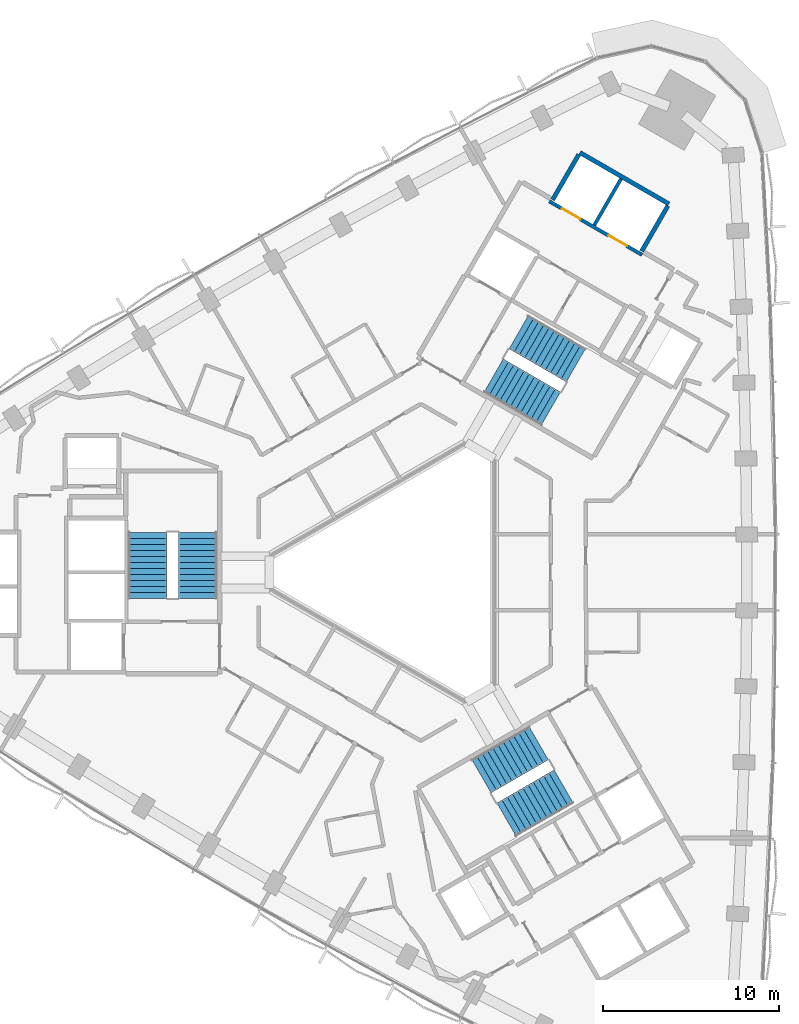
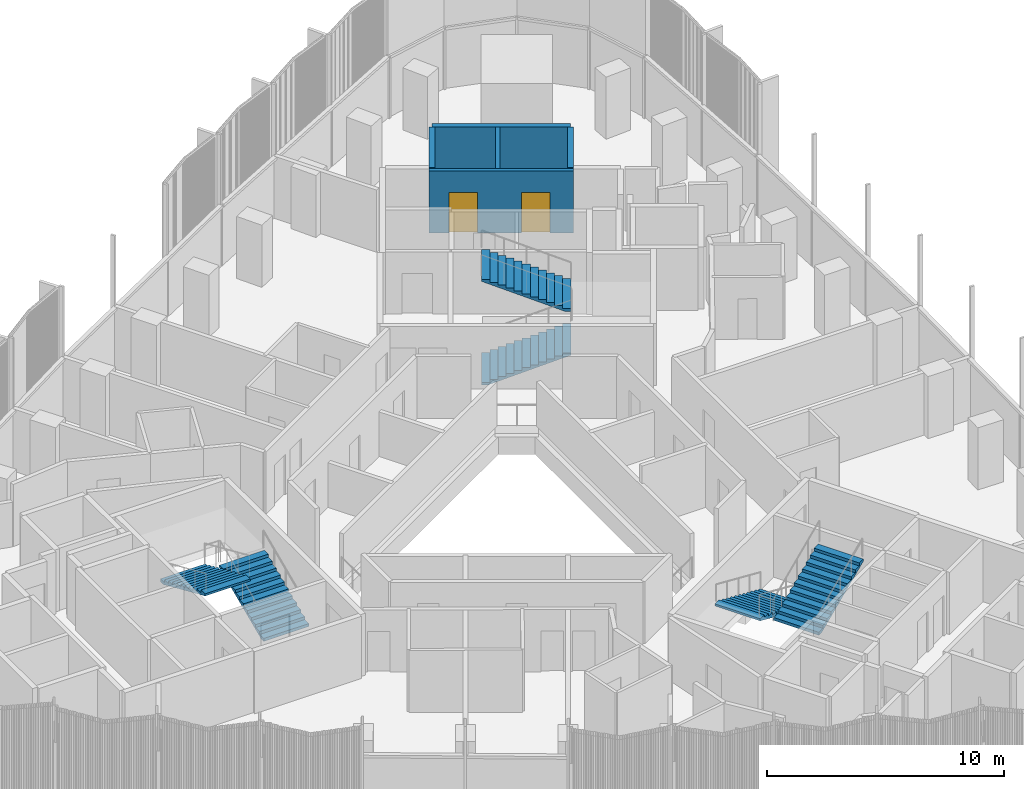
# One storey, part 12 of 15: 6 stair flights, 5 walls, 2 doors, 2 openings, 3 elements without a shape of their own.
"""IFC4 building model written with IfcOpenShell, lengths in metres."""

import ifcopenshell
import ifcopenshell.guid

model = None  # the IFC model being written
_history = None  # IfcOwnerHistory: only IFC2X3 demands one
_inside = {}  # id of a spatial element -> (the spatial element, [elements in it])
_under = {}  # id of a project, library or spatial element -> (it, [spatial elements below it])
_declared = {}  # id of a project -> (the project, [libraries it declares])
_typed = {}  # id of a type object -> (the type object, [elements of that type])
_made_of = {}  # id of a material, layer set ... -> (it, [elements and type objects made of it])


def new_model(schema):
    """Start an empty IFC model of exactly this schema.

    Asked for "IFC4X3", IfcOpenShell would pick the latest addendum, in which some entities
    have other attributes; the version numbers below select the first issue.
    IFC2X3 requires an IfcOwnerHistory on every rooted entity: one is made here for all.
    """
    global model, _history
    if schema == "IFC4X3":
        model = ifcopenshell.file(schema_version=(4, 3, 0, 0))
    else:
        model = ifcopenshell.file(schema=schema)
    _inside.clear()
    _under.clear()
    _declared.clear()
    _typed.clear()
    _made_of.clear()
    _history = None
    if model.schema == "IFC2X3":
        org = make("IfcOrganization", Name="unknown")
        user = make(
            "IfcPersonAndOrganization",
            ThePerson=make("IfcPerson", FamilyName="unknown"),
            TheOrganization=org,
        )
        app = make(
            "IfcApplication",
            ApplicationDeveloper=org,
            Version="unknown",
            ApplicationFullName="unknown",
            ApplicationIdentifier="unknown",
        )
        _history = make(
            "IfcOwnerHistory",
            OwningUser=user,
            OwningApplication=app,
            ChangeAction="ADDED",
            CreationDate=0,
        )
    return model


def make(cls, **values):
    """One entity of the class cls with the attributes given. An attribute that is None is left unset."""
    return model.create_entity(
        cls, **{name: value for name, value in values.items() if value is not None}
    )


def rooted(cls, **values):
    """An entity with a GlobalId (a new one), such as an element, a storey or a relation."""
    return make(cls, GlobalId=ifcopenshell.guid.new(), OwnerHistory=_history, **values)


def si_unit(unit_type, name, prefix=None):
    """IfcSIUnit, for example si_unit("LENGTHUNIT", "METRE", prefix="MILLI")."""
    return make("IfcSIUnit", UnitType=unit_type, Prefix=prefix, Name=name)


def assignment(units):
    """IfcUnitAssignment: the units of a project."""
    return None if units is None else make("IfcUnitAssignment", Units=units)


def point(xyz):
    """IfcCartesianPoint."""
    return None if xyz is None else make("IfcCartesianPoint", Coordinates=xyz)


def direction(xyz):
    """IfcDirection."""
    return None if xyz is None else make("IfcDirection", DirectionRatios=xyz)


def frame(location, z_axis=None, x_axis=None):
    """IfcAxis2Placement3D, a coordinate frame: its origin and axes. An axis left out is left unset."""
    return make(
        "IfcAxis2Placement3D",
        Location=point(location),
        Axis=direction(z_axis),
        RefDirection=direction(x_axis),
    )


def frame_2d(location, x_axis=None):
    """IfcAxis2Placement2D, a coordinate frame in the plane: its origin and x axis."""
    return make(
        "IfcAxis2Placement2D", Location=point(location), RefDirection=direction(x_axis)
    )


def origin():
    """The frame at (0, 0, 0) with its axes left unset."""
    return frame((0.0, 0.0, 0.0))


def place(relative_to, where):
    """IfcLocalPlacement: puts the frame where relative to a parent placement (None: the world)."""
    return make(
        "IfcLocalPlacement", PlacementRelTo=relative_to, RelativePlacement=where
    )


def context(
    kind, dimensions, precision=None, world=None, true_north=None, identifier=None
):
    """IfcGeometricRepresentationContext, for example the 3D "Model" context."""
    return make(
        "IfcGeometricRepresentationContext",
        ContextIdentifier=identifier,
        ContextType=kind,
        CoordinateSpaceDimension=dimensions,
        Precision=precision,
        WorldCoordinateSystem=world,
        TrueNorth=true_north,
    )


def subcontext(parent, identifier, kind, view, scale=None):
    """IfcGeometricRepresentationSubContext, for example "Body" below "Model"."""
    return make(
        "IfcGeometricRepresentationSubContext",
        ContextIdentifier=identifier,
        ContextType=kind,
        ParentContext=parent,
        TargetScale=scale,
        TargetView=view,
    )


def project(units=None, contexts=None):
    """IfcProject with its units and contexts."""
    return rooted(
        "IfcProject",
        Name="project",
        RepresentationContexts=contexts,
        UnitsInContext=assignment(units),
    )


def spatial(cls, under=None, at=None, **own):
    """A site, building, storey or space (cls), placed at a placement, below another one or the project."""
    s = rooted(cls, ObjectPlacement=at, **own)
    if under is not None:
        _under.setdefault(under.id(), (under, []))[1].append(s)
    return s


def polyline(points):
    """IfcPolyline through the points."""
    return make("IfcPolyline", Points=[point(p) for p in points])


def profile(cls, at=None, kind="AREA", **sizes):
    """A parametric profile (cls). Its sizes go by their IFC names, for example OverallWidth=200.0."""
    return make(cls, ProfileType=kind, Position=at, **sizes)


def rectangle(**sizes):
    """IfcRectangleProfileDef."""
    return profile("IfcRectangleProfileDef", **sizes)


def outline(outer, holes=None, kind="AREA"):
    """IfcArbitraryClosedProfileDef: a profile drawn as a closed curve; with holes, ...WithVoids."""
    if holes is None:
        return make("IfcArbitraryClosedProfileDef", ProfileType=kind, OuterCurve=outer)
    return make(
        "IfcArbitraryProfileDefWithVoids",
        ProfileType=kind,
        OuterCurve=outer,
        InnerCurves=holes,
    )


def extrude(swept, where, along, depth):
    """IfcExtrudedAreaSolid: the profile swept, set in the frame where, extruded along a direction by depth."""
    return make(
        "IfcExtrudedAreaSolid",
        SweptArea=swept,
        Position=where,
        ExtrudedDirection=direction(along),
        Depth=depth,
    )


def shape(context_of_items, identifier, shape_type, items):
    """IfcShapeRepresentation: the items that make up one representation, for example the "Body"."""
    return make(
        "IfcShapeRepresentation",
        ContextOfItems=context_of_items,
        RepresentationIdentifier=identifier,
        RepresentationType=shape_type,
        Items=items,
    )


def material(Name=None, Category=None):
    """IfcMaterial."""
    return make("IfcMaterial", Name=Name, Category=Category)


def layer(
    of_material, thickness, ventilated=None, Name=None, Category=None, Priority=None
):
    """IfcMaterialLayer: one layer of a wall or slab, of a material (None: an air gap)."""
    return make(
        "IfcMaterialLayer",
        Material=of_material,
        LayerThickness=thickness,
        IsVentilated=ventilated,
        Name=Name,
        Category=Category,
        Priority=Priority,
    )


def layer_set(layers, Name=None):
    """IfcMaterialLayerSet."""
    return make("IfcMaterialLayerSet", MaterialLayers=layers, LayerSetName=Name)


def made_of(thing, what):
    """Note that an element or type object is made of a material, layer set ...; save() writes the relation."""
    if what is not None:
        _made_of.setdefault(what.id(), (what, []))[1].append(thing)
    return thing


def type_object(cls, material=None, **own):
    """A type object (cls), such as IfcWallType, which elements share."""
    return made_of(rooted(cls, **own), material)


def element(
    cls,
    number,
    at=None,
    inside=None,
    cuts=None,
    type_object=None,
    material=None,
    context=None,
    identifier="Body",
    shape_type=None,
    held_by="IfcProductDefinitionShape",
    body=None,
    shapes=None,
    **own,
):
    """One element of the class cls, such as IfcWall. Its Tag is "e" and its number.

    at: its placement. inside: the storey or other place that contains it. cuts: it is an
    opening in that element (IfcRelVoidsElement). A single representation is given by context,
    identifier, shape_type and body (its items); several are given by shapes. held_by: the class
    of the entity that holds the representations. save() writes the other relations.
    """
    e = rooted(cls, Tag="e%d" % number, ObjectPlacement=at, **own)
    if body is not None:
        shapes = [shape(context, identifier, shape_type, body)]
    if shapes is not None:
        e.Representation = make(held_by, Representations=shapes)
    if inside is not None:
        _inside.setdefault(inside.id(), (inside, []))[1].append(e)
    if cuts is not None:
        rooted(
            "IfcRelVoidsElement", RelatingBuildingElement=cuts, RelatedOpeningElement=e
        )
    if type_object is not None:
        _typed.setdefault(type_object.id(), (type_object, []))[1].append(e)
    return made_of(e, material)


def fill(opening, filler):
    """IfcRelFillsElement: the door or window that sits in an opening."""
    return rooted(
        "IfcRelFillsElement",
        RelatingOpeningElement=opening,
        RelatedBuildingElement=filler,
    )


def aggregate(whole, parts):
    """IfcRelAggregates: a whole, such as a stair, and the parts it consists of."""
    return rooted("IfcRelAggregates", RelatingObject=whole, RelatedObjects=parts)


def save(model, path):
    """Write the relations noted so far, then the file.

    IfcRelAggregates (storeys below a building ...), IfcRelContainedInSpatialStructure (elements
    in a storey), IfcRelDefinesByType, IfcRelAssociatesMaterial and IfcRelDeclares: one each for
    every whole, place, type object, material and project.
    """
    for whole, parts in _under.values():
        aggregate(whole, parts)
    for where, things in _inside.values():
        rooted(
            "IfcRelContainedInSpatialStructure",
            RelatedElements=things,
            RelatingStructure=where,
        )
    for kind, things in _typed.values():
        rooted("IfcRelDefinesByType", RelatedObjects=things, RelatingType=kind)
    for what, things in _made_of.values():
        rooted("IfcRelAssociatesMaterial", RelatedObjects=things, RelatingMaterial=what)
    for by, libraries in _declared.values():
        rooted("IfcRelDeclares", RelatingContext=by, RelatedDefinitions=libraries)
    model.write(path)


model = new_model("IFC4")

# Units and contexts
model_context = context("Model", 3, precision=1e-05, world=origin(), true_north=direction((0.0, 1.0)))
body_context = subcontext(model_context, "Body", "Model", "MODEL_VIEW")
ifc_project = project(units=[si_unit("LENGTHUNIT", "METRE"), si_unit("AREAUNIT", "SQUARE_METRE"), si_unit("VOLUMEUNIT", "CUBIC_METRE"), si_unit("PLANEANGLEUNIT", "RADIAN"), si_unit("MASSUNIT", "GRAM", prefix="KILO")], contexts=[model_context])

# Site, building, storey
site_placement = place(None, origin())
site = spatial("IfcSite", under=ifc_project, at=site_placement, CompositionType="ELEMENT")
building_placement = place(site_placement, origin())
building = spatial("IfcBuilding", under=site, at=building_placement, Name="Tamra Quay Hotel Tower", CompositionType="ELEMENT")
storey_placement = place(building_placement, frame((0.0, 0.0, 157.60009765625)))
storey = spatial("IfcBuildingStorey", under=building, at=storey_placement, Name="L39", CompositionType="ELEMENT", Elevation=157.60009765625)

# Wall, openings, doors
ifc_material_1 = material(Name="Concrete M70", Category="concrete")
ifc_layer_1 = layer(ifc_material_1, 0.199951171875)
ifc_layer_set_1 = layer_set([ifc_layer_1], Name="Concrete M70 core wall 200")
wall_type_1 = type_object("IfcWallType", Name="Concrete M70 core wall 200", PredefinedType="SHEAR", material=ifc_layer_set_1)
wall_1_placement = place(storey_placement, frame((13.209716796875, 18.07958984375, 0.0), z_axis=(0.0, 0.0, 1.0), x_axis=(-0.866030299012, 0.499991521122, 0.0)))
wall_1 = element("IfcWall", 1, at=wall_1_placement, inside=storey, type_object=wall_type_1, Name="CW2", PredefinedType="SHEAR", context=body_context, shape_type="SweptSolid", body=[
    extrude(rectangle(XDim=6.10009765625, YDim=0.199951171875, at=frame_2d((3.050048828125, 0.0))), origin(), (0.0, 0.0, 1.0), 3.199951171875),
])
opening_1_placement = place(wall_1_placement, frame((1.0, 0.0, 0.0)))
opening_1 = element("IfcOpeningElement", 2, at=opening_1_placement, cuts=wall_1, Name="Opening LD", PredefinedType="OPENING", context=body_context, shape_type="SweptSolid", body=[
    extrude(rectangle(XDim=1.199951171875, YDim=2.10009765625, at=frame_2d((0.60009765625, 1.050048828125))), frame((0.0, 0.10986328125, 0.0), z_axis=(0.0, -1.0, 0.0), x_axis=(1.0, 0.0, 0.0)), (0.0, 0.0, 1.0), 0.219970703125),
])
opening_2_placement = place(wall_1_placement, frame((4.05029296875, 0.0, 0.0)))
opening_2 = element("IfcOpeningElement", 3, at=opening_2_placement, cuts=wall_1, Name="Opening LD", PredefinedType="OPENING", context=body_context, shape_type="SweptSolid", body=[
    extrude(rectangle(XDim=1.199951171875, YDim=2.10009765625, at=frame_2d((0.60009765625, 1.050048828125))), frame((0.0, 0.10986328125, 0.0), z_axis=(0.0, -1.0, 0.0), x_axis=(1.0, 0.0, 0.0)), (0.0, 0.0, 1.0), 0.219970703125),
])
ifc_material_2 = material(Name="Landing door LD 1200 double door sliding")
door_type = type_object("IfcDoorType", Name="Landing door LD 1200 double door sliding", OperationType="DOUBLE_DOOR_SLIDING", PredefinedType="DOOR", material=ifc_material_2)
door_1_placement = place(opening_1_placement, origin())
door_1 = element("IfcDoor", 4, at=door_1_placement, inside=storey, type_object=door_type, Name="LD", OperationType="DOUBLE_DOOR_SLIDING", OverallHeight=2.10009765625, OverallWidth=1.199951171875, PredefinedType="DOOR", context=body_context, shape_type="SweptSolid", body=[
    extrude(rectangle(XDim=1.199951171875, YDim=2.10009765625, at=frame_2d((0.60009765625, 1.050048828125))), frame((0.0, 0.02490234375, 0.0), z_axis=(0.0, -1.0, 0.0), x_axis=(1.0, 0.0, 0.0)), (0.0, 0.0, 1.0), 0.050048828125),
])
fill(opening_1, door_1)
door_2_placement = place(opening_2_placement, origin())
door_2 = element("IfcDoor", 5, at=door_2_placement, inside=storey, type_object=door_type, Name="LD", OperationType="DOUBLE_DOOR_SLIDING", OverallHeight=2.10009765625, OverallWidth=1.199951171875, PredefinedType="DOOR", context=body_context, shape_type="SweptSolid", body=[
    extrude(rectangle(XDim=1.199951171875, YDim=2.10009765625, at=frame_2d((0.60009765625, 1.050048828125))), frame((0.0, 0.02490234375, 0.0), z_axis=(0.0, -1.0, 0.0), x_axis=(1.0, 0.0, 0.0)), (0.0, 0.0, 1.0), 0.050048828125),
])
fill(opening_2, door_2)

# Walls
wall_2_placement = place(storey_placement, frame((10.48876953125, 19.76708984375, 0.0), z_axis=(0.0, 0.0, 1.0), x_axis=(0.499946628782, 0.866056215479, 0.0)))
element("IfcWall", 6, at=wall_2_placement, inside=storey, type_object=wall_type_1, Name="CW2", PredefinedType="SHEAR", context=body_context, shape_type="SweptSolid", body=[
    extrude(rectangle(XDim=3.048095703125, YDim=0.199951171875, at=frame_2d((1.52392578125, 0.0))), origin(), (0.0, 0.0, 1.0), 3.199951171875),
])
ifc_layer_2 = layer(ifc_material_1, 0.25)
ifc_layer_set_2 = layer_set([ifc_layer_2], Name="Concrete M70 core wall 250")
wall_type_2 = type_object("IfcWallType", Name="Concrete M70 core wall 250", PredefinedType="SHEAR", material=ifc_layer_set_2)
wall_3_placement = place(storey_placement, frame((9.672607421875, 23.9033203125, 0.0), z_axis=(0.0, 0.0, 1.0), x_axis=(0.86603616409, -0.499981362141, 0.0)))
element("IfcWall", 7, at=wall_3_placement, inside=storey, type_object=wall_type_2, Name="CW1", PredefinedType="SHEAR", context=body_context, shape_type="SweptSolid", body=[
    extrude(rectangle(XDim=5.849853515625, YDim=0.25, at=frame_2d((2.9248046875, 0.0))), origin(), (0.0, 0.0, 1.0), 3.199951171875),
])
for number, where, z_axis, x_axis, name in (
    (8, (8.12255859375, 21.21875, 0.0), (0.0, 0.0, 1.0), (0.499987686533, 0.866032512851, 0.0), "CW1"),
    (9, (14.67626953125, 20.869873046875, 0.0), (0.0, 0.0, 1.0), (-0.499987686533, -0.866032512851, 0.0), "CW1"),
):
    element("IfcWall", number, at=place(storey_placement, frame(where, z_axis=z_axis, x_axis=x_axis)), inside=storey, type_object=wall_type_2, Name=name, PredefinedType="SHEAR", context=body_context, shape_type="SweptSolid", body=[
        extrude(rectangle(XDim=2.974609375, YDim=0.25, at=frame_2d((1.4873046875, 0.0))), origin(), (0.0, 0.0, 1.0), 3.199951171875),
    ])

# Stair, stair flights
ifc_material_3 = material(Name="Exit stair 2200 24 risers 150.0 going 342")
stair_type = type_object("IfcStairType", Name="Exit stair 2200 24 risers 150.0 going 342", PredefinedType="HALF_TURN_STAIR", material=ifc_material_3)
stair_1_placement = place(storey_placement, origin())
stair_1 = element("IfcStair", 10, at=stair_1_placement, inside=storey, type_object=stair_type, Name="L39 Exit stair ST3", PredefinedType="HALF_TURN_STAIR")
ifc_material_4 = material(Name="Exit stair flight 2200 12 risers 150.0")
stair_flight_type = type_object("IfcStairFlightType", Name="Exit stair flight 2200 12 risers 150.0", PredefinedType="STRAIGHT", material=ifc_material_4)
stair_flight_1_placement = place(storey_placement, frame((-12.082275390625, -1.47998046875, 0.0), z_axis=(0.0, 0.0, 1.0), x_axis=(0.0, 1.0, 0.0)))
stair_flight_1 = element("IfcStairFlight", 11, at=stair_flight_1_placement, type_object=stair_flight_type, Name="ST3 flight 1", NumberOfRisers=12, NumberOfTreads=11, PredefinedType="STRAIGHT", RiserHeight=0.15, TreadLength=0.342, context=body_context, shape_type="SweptSolid", body=[
    extrude(outline(polyline([(0.0, 0.0), (0.0, 0.14990234375), (0.342041015625, 0.14990234375), (0.342041015625, 0.300048828125), (0.68408203125, 0.300048828125), (0.68408203125, 0.449951171875), (1.02587890625, 0.449951171875), (1.02587890625, 0.60009765625), (1.367919921875, 0.60009765625), (1.367919921875, 0.75), (1.7099609375, 0.75), (1.7099609375, 0.89990234375), (2.052001953125, 0.89990234375), (2.052001953125, 1.050048828125), (2.39404296875, 1.050048828125), (2.39404296875, 1.199951171875), (2.736083984375, 1.199951171875), (2.736083984375, 1.35009765625), (3.077880859375, 1.35009765625), (3.077880859375, 1.5), (3.419921875, 1.5), (3.419921875, 1.64990234375), (3.761962890625, 1.64990234375), (3.761962890625, 1.800048828125), (3.761962890625, 1.540771484375), (0.249267578125, 0.0), (0.0, 0.0)])), frame((0.0, 1.10009765625, 0.0), z_axis=(0.0, -1.0, 0.0), x_axis=(1.0, 0.0, 0.0)), (0.0, 0.0, 1.0), 2.199951171875),
])
stair_flight_2_placement = place(storey_placement, frame((-14.94140625, 2.281982421875, 1.7998046875), z_axis=(0.0, 0.0, 1.0), x_axis=(0.0, -1.0, 0.0)))
stair_flight_2 = element("IfcStairFlight", 12, at=stair_flight_2_placement, type_object=stair_flight_type, Name="ST3 flight 2", NumberOfRisers=12, NumberOfTreads=11, PredefinedType="STRAIGHT", RiserHeight=0.15, TreadLength=0.342, context=body_context, shape_type="SweptSolid", body=[
    extrude(outline(polyline([(0.0, 0.0), (0.0, 0.14990234375), (0.342041015625, 0.14990234375), (0.342041015625, 0.300048828125), (0.68408203125, 0.300048828125), (0.68408203125, 0.449951171875), (1.02587890625, 0.449951171875), (1.02587890625, 0.60009765625), (1.367919921875, 0.60009765625), (1.367919921875, 0.75), (1.7099609375, 0.75), (1.7099609375, 0.89990234375), (2.052001953125, 0.89990234375), (2.052001953125, 1.050048828125), (2.39404296875, 1.050048828125), (2.39404296875, 1.199951171875), (2.736083984375, 1.199951171875), (2.736083984375, 1.35009765625), (3.077880859375, 1.35009765625), (3.077880859375, 1.5), (3.419921875, 1.5), (3.419921875, 1.64990234375), (3.761962890625, 1.64990234375), (3.761962890625, 1.800048828125), (3.761962890625, 1.540771484375), (0.249267578125, 0.0), (0.0, 0.0)])), frame((0.0, 1.10009765625, 0.0), z_axis=(0.0, -1.0, 0.0), x_axis=(1.0, 0.0, 0.0)), (0.0, 0.0, 1.0), 2.199951171875),
])
aggregate(stair_1, [stair_flight_1, stair_flight_2])

stair_2_placement = place(storey_placement, origin())
stair_2 = element("IfcStair", 13, at=stair_2_placement, inside=storey, type_object=stair_type, Name="L39 Exit stair ST1", PredefinedType="HALF_TURN_STAIR")
stair_flight_3_placement = place(storey_placement, frame((4.75927734375, 11.20361328125, 0.0), z_axis=(0.0, 0.0, 1.0), x_axis=(0.866025403784, -0.5, 0.0)))
stair_flight_3 = element("IfcStairFlight", 14, at=stair_flight_3_placement, type_object=stair_flight_type, Name="ST1 flight 1", NumberOfRisers=12, NumberOfTreads=11, PredefinedType="STRAIGHT", RiserHeight=0.15, TreadLength=0.342, context=body_context, shape_type="SweptSolid", body=[
    extrude(outline(polyline([(0.0, 0.0), (0.0, 0.14990234375), (0.342041015625, 0.14990234375), (0.342041015625, 0.300048828125), (0.68408203125, 0.300048828125), (0.68408203125, 0.449951171875), (1.02587890625, 0.449951171875), (1.02587890625, 0.60009765625), (1.367919921875, 0.60009765625), (1.367919921875, 0.75), (1.7099609375, 0.75), (1.7099609375, 0.89990234375), (2.052001953125, 0.89990234375), (2.052001953125, 1.050048828125), (2.39404296875, 1.050048828125), (2.39404296875, 1.199951171875), (2.736083984375, 1.199951171875), (2.736083984375, 1.35009765625), (3.077880859375, 1.35009765625), (3.077880859375, 1.5), (3.419921875, 1.5), (3.419921875, 1.64990234375), (3.761962890625, 1.64990234375), (3.761962890625, 1.800048828125), (3.761962890625, 1.540771484375), (0.249267578125, 0.0), (0.0, 0.0)])), frame((0.0, 1.10009765625, 0.0), z_axis=(0.0, -1.0, 0.0), x_axis=(1.0, 0.0, 0.0)), (0.0, 0.0, 1.0), 2.199951171875),
])
stair_flight_4_placement = place(storey_placement, frame((9.44677734375, 11.798583984375, 1.7998046875), z_axis=(0.0, 0.0, 1.0), x_axis=(-0.866025403784, 0.5, 0.0)))
stair_flight_4 = element("IfcStairFlight", 15, at=stair_flight_4_placement, type_object=stair_flight_type, Name="ST1 flight 2", NumberOfRisers=12, NumberOfTreads=11, PredefinedType="STRAIGHT", RiserHeight=0.15, TreadLength=0.342, context=body_context, shape_type="SweptSolid", body=[
    extrude(outline(polyline([(0.0, 0.0), (0.0, 0.14990234375), (0.342041015625, 0.14990234375), (0.342041015625, 0.300048828125), (0.68408203125, 0.300048828125), (0.68408203125, 0.449951171875), (1.02587890625, 0.449951171875), (1.02587890625, 0.60009765625), (1.367919921875, 0.60009765625), (1.367919921875, 0.75), (1.7099609375, 0.75), (1.7099609375, 0.89990234375), (2.052001953125, 0.89990234375), (2.052001953125, 1.050048828125), (2.39404296875, 1.050048828125), (2.39404296875, 1.199951171875), (2.736083984375, 1.199951171875), (2.736083984375, 1.35009765625), (3.077880859375, 1.35009765625), (3.077880859375, 1.5), (3.419921875, 1.5), (3.419921875, 1.64990234375), (3.761962890625, 1.64990234375), (3.761962890625, 1.800048828125), (3.761962890625, 1.540771484375), (0.249267578125, 0.0), (0.0, 0.0)])), frame((0.0, 1.10009765625, 0.0), z_axis=(0.0, -1.0, 0.0), x_axis=(1.0, 0.0, 0.0)), (0.0, 0.0, 1.0), 2.199951171875),
])
aggregate(stair_2, [stair_flight_3, stair_flight_4])

stair_3_placement = place(storey_placement, origin())
stair_3 = element("IfcStair", 16, at=stair_3_placement, inside=storey, type_object=stair_type, Name="L39 Exit stair ST2", PredefinedType="HALF_TURN_STAIR")
stair_flight_5_placement = place(storey_placement, frame((7.322998046875, -9.7236328125, 0.0), z_axis=(0.0, 0.0, 1.0), x_axis=(-0.866025403784, -0.5, 0.0)))
stair_flight_5 = element("IfcStairFlight", 17, at=stair_flight_5_placement, type_object=stair_flight_type, Name="ST2 flight 1", NumberOfRisers=12, NumberOfTreads=11, PredefinedType="STRAIGHT", RiserHeight=0.15, TreadLength=0.342, context=body_context, shape_type="SweptSolid", body=[
    extrude(outline(polyline([(0.0, 0.0), (0.0, 0.14990234375), (0.342041015625, 0.14990234375), (0.342041015625, 0.300048828125), (0.68408203125, 0.300048828125), (0.68408203125, 0.449951171875), (1.02587890625, 0.449951171875), (1.02587890625, 0.60009765625), (1.367919921875, 0.60009765625), (1.367919921875, 0.75), (1.7099609375, 0.75), (1.7099609375, 0.89990234375), (2.052001953125, 0.89990234375), (2.052001953125, 1.050048828125), (2.39404296875, 1.050048828125), (2.39404296875, 1.199951171875), (2.736083984375, 1.199951171875), (2.736083984375, 1.35009765625), (3.077880859375, 1.35009765625), (3.077880859375, 1.5), (3.419921875, 1.5), (3.419921875, 1.64990234375), (3.761962890625, 1.64990234375), (3.761962890625, 1.800048828125), (3.761962890625, 1.540771484375), (0.249267578125, 0.0), (0.0, 0.0)])), frame((0.0, 1.10009765625, 0.0), z_axis=(0.0, -1.0, 0.0), x_axis=(1.0, 0.0, 0.0)), (0.0, 0.0, 1.0), 2.199951171875),
])
stair_flight_6_placement = place(storey_placement, frame((5.494384765625, -14.08056640625, 1.7998046875), z_axis=(0.0, 0.0, 1.0), x_axis=(0.866025403784, 0.5, 0.0)))
stair_flight_6 = element("IfcStairFlight", 18, at=stair_flight_6_placement, type_object=stair_flight_type, Name="ST2 flight 2", NumberOfRisers=12, NumberOfTreads=11, PredefinedType="STRAIGHT", RiserHeight=0.15, TreadLength=0.342, context=body_context, shape_type="SweptSolid", body=[
    extrude(outline(polyline([(0.0, 0.0), (0.0, 0.14990234375), (0.342041015625, 0.14990234375), (0.342041015625, 0.300048828125), (0.68408203125, 0.300048828125), (0.68408203125, 0.449951171875), (1.02587890625, 0.449951171875), (1.02587890625, 0.60009765625), (1.367919921875, 0.60009765625), (1.367919921875, 0.75), (1.7099609375, 0.75), (1.7099609375, 0.89990234375), (2.052001953125, 0.89990234375), (2.052001953125, 1.050048828125), (2.39404296875, 1.050048828125), (2.39404296875, 1.199951171875), (2.736083984375, 1.199951171875), (2.736083984375, 1.35009765625), (3.077880859375, 1.35009765625), (3.077880859375, 1.5), (3.419921875, 1.5), (3.419921875, 1.64990234375), (3.761962890625, 1.64990234375), (3.761962890625, 1.800048828125), (3.761962890625, 1.540771484375), (0.249267578125, 0.0), (0.0, 0.0)])), frame((0.0, 1.10009765625, 0.0), z_axis=(0.0, -1.0, 0.0), x_axis=(1.0, 0.0, 0.0)), (0.0, 0.0, 1.0), 2.199951171875),
])
aggregate(stair_3, [stair_flight_5, stair_flight_6])

save(model, "model.ifc")
